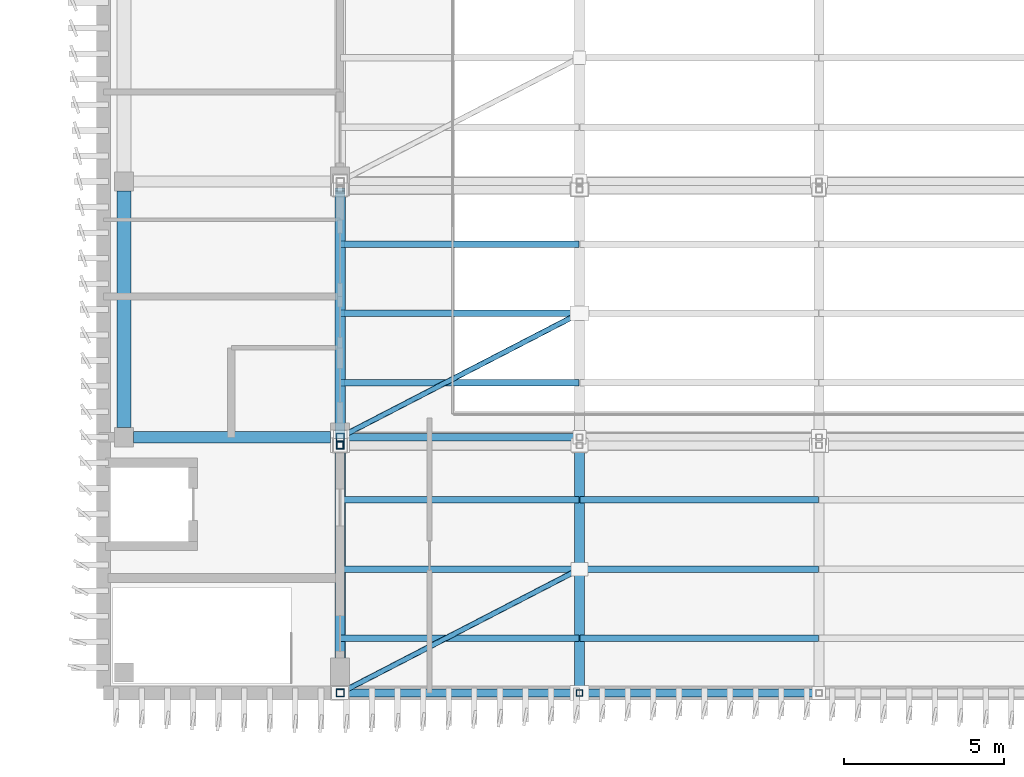
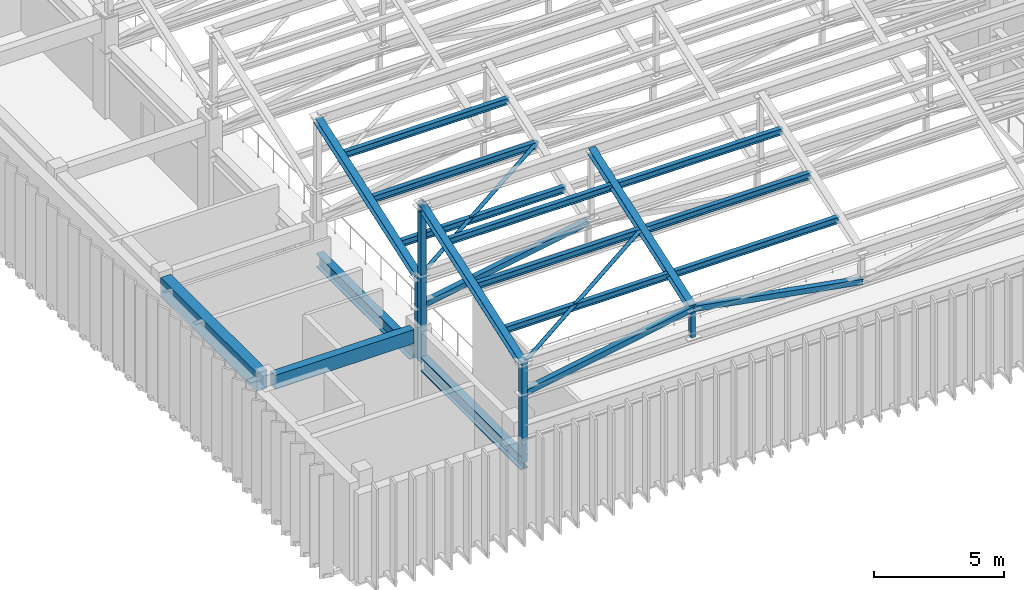
# One storey, part 3 of 76: 22 members, 4 beams.
"""IFC4 building model written with IfcOpenShell, lengths in metres."""

from ifc_helpers import new_model, si_unit, direction, frame, origin, origin_2d, place, context, subcontext, project, spatial, rectangle, hollow_rectangle, hollow_circle, i_section, extrude, material, material_profile, profile_set, type_object, element, save


model = new_model("IFC4")

# Units and contexts
model_context = context("Model", 3, precision=1e-05, world=origin(), true_north=direction((0.0, 1.0)))
body_context = subcontext(model_context, "Body", "Model", "MODEL_VIEW")
ifc_project = project(units=[si_unit("LENGTHUNIT", "METRE"), si_unit("AREAUNIT", "SQUARE_METRE"), si_unit("VOLUMEUNIT", "CUBIC_METRE"), si_unit("PLANEANGLEUNIT", "RADIAN"), si_unit("MASSUNIT", "GRAM", prefix="KILO")], contexts=[model_context])

# Site, building, storey
site_placement = place(None, origin())
site = spatial("IfcSite", under=ifc_project, at=site_placement, CompositionType="ELEMENT")
building_placement = place(site_placement, origin())
building = spatial("IfcBuilding", under=site, at=building_placement, Name="Cinchona Park Media Centre", CompositionType="ELEMENT")
storey_placement = place(building_placement, frame((0.0, 0.0, 15.60009765625)))
storey = spatial("IfcBuildingStorey", under=building, at=storey_placement, Name="L03", CompositionType="ELEMENT", Elevation=15.60009765625)

# Beams
ifc_material_1 = material(Name="Concrete C35/45", Category="concrete")
ifc_material_profile_1 = material_profile(ifc_material_1, rectangle(XDim=0.449951171875, YDim=0.85009765625, at=origin_2d()), Name="RB 450X850")
ifc_profile_set_1 = profile_set([ifc_material_profile_1], Name="Concrete C35/45")
beam_type_1 = type_object("IfcBeamType", Name="BEAM-B02-RB450X850", PredefinedType="BEAM", material=ifc_profile_set_1)
beam_1_placement = place(storey_placement, frame((8.639892578125, 15.89990234375, 4.1298828125), z_axis=(0.0, 1.0, 0.0), x_axis=(-1.0, 0.0, 0.0)))
element("IfcBeam", 1, at=beam_1_placement, inside=storey, type_object=beam_type_1, Name="Girder B02 L03", PredefinedType="BEAM", context=body_context, shape_type="SweptSolid", body=[
    extrude(rectangle(XDim=0.449951171875, YDim=0.85009765625, at=origin_2d()), origin(), (0.0, 0.0, 1.0), 7.400146484375),
])
ifc_material_2 = material(Name="Concrete C35/45", Category="concrete")
ifc_material_profile_2 = material_profile(ifc_material_2, rectangle(XDim=0.35009765625, YDim=0.64990234375, at=origin_2d()), Name="RB 350X650")
ifc_profile_set_2 = profile_set([ifc_material_profile_2], Name="Concrete C35/45")
beam_type_2 = type_object("IfcBeamType", Name="BEAM-B04-RB350X650", PredefinedType="BEAM", material=ifc_profile_set_2)
beam_2_placement = place(storey_placement, frame((8.93994140625, 15.60009765625, 4.22998046875), z_axis=(1.0, 0.0, 0.0), x_axis=(0.0, 1.0, 0.0)))
element("IfcBeam", 2, at=beam_2_placement, inside=storey, type_object=beam_type_2, Name="Beam B04 L03", PredefinedType="BEAM", context=body_context, shape_type="SweptSolid", body=[
    extrude(rectangle(XDim=0.35009765625, YDim=0.64990234375, at=origin_2d()), origin(), (0.0, 0.0, 1.0), 6.16015625),
])
ifc_material_3 = material(Name="Steel S355", Category="steel")
ifc_material_profile_3 = material_profile(ifc_material_3, i_section(OverallWidth=0.3291015625, OverallDepth=0.635009765625, WebThickness=0.017822265625, FlangeThickness=0.031005859375, at=origin_2d()), Name="W610X241")
ifc_profile_set_3 = profile_set([ifc_material_profile_3], Name="Steel S355")
beam_type_3 = type_object("IfcBeamType", Name="BEAM-B05-W610X241", PredefinedType="BEAM", material=ifc_profile_set_3)
beam_3_placement = place(storey_placement, frame((15.39990234375, 7.5, 3.0498046875), z_axis=(0.0, 1.0, 0.0), x_axis=(-1.0, 0.0, 0.0)))
element("IfcBeam", 3, at=beam_3_placement, inside=storey, type_object=beam_type_3, Name="Sawtooth Valley Edge Girder B05 V1", PredefinedType="BEAM", context=body_context, shape_type="SweptSolid", body=[
    extrude(i_section(OverallWidth=0.3291015625, OverallDepth=0.635009765625, WebThickness=0.017822265625, FlangeThickness=0.031005859375, at=origin_2d()), origin(), (0.0, 0.0, 1.0), 7.679931640625),
])
beam_4_placement = place(storey_placement, frame((15.39990234375, 16.02001953125, 3.0498046875), z_axis=(0.0, 1.0, 0.0), x_axis=(-1.0, 0.0, 0.0)))
element("IfcBeam", 4, at=beam_4_placement, inside=storey, type_object=beam_type_3, Name="Sawtooth Valley Edge Girder B05 V1", PredefinedType="BEAM", context=body_context, shape_type="SweptSolid", body=[
    extrude(i_section(OverallWidth=0.3291015625, OverallDepth=0.635009765625, WebThickness=0.017822265625, FlangeThickness=0.031005859375, at=origin_2d()), origin(), (0.0, 0.0, 1.0), 7.159912109375),
])

# Members
ifc_material_4 = material(Name="Steel S355", Category="steel")
ifc_material_profile_4 = material_profile(ifc_material_4, hollow_circle(Radius=0.084228515625, WallThickness=0.010009765625, at=origin_2d()), Name="168.3X10CHS")
ifc_profile_set_4 = profile_set([ifc_material_profile_4], Name="Steel S355")
member_type_1 = type_object("IfcMemberType", Name="MEMBER-BR03-CHS168.3X10", PredefinedType="BRACE", material=ifc_profile_set_4)
for number, where, z_axis, x_axis, name in (
    (5, (15.39990234375, 7.60009765625, 7.599853515625), (0.877007498883, 0.453726100012, 0.158083753343), (-0.459504038406, 0.888175680082, 0.0), "Sawtooth Roof Wind Brace V1 Bay 1"),
    (6, (15.39990234375, 15.60009765625, 6.7998046875), (0.877007498883, 0.453726100012, 0.158083753343), (-0.459504038406, 0.888175680082, 0.0), "Sawtooth Roof Wind Brace V1 Bay 2"),
):
    element("IfcMember", number, at=place(storey_placement, frame(where, z_axis=z_axis, x_axis=x_axis)), inside=storey, type_object=member_type_1, Name=name, PredefinedType="BRACE", context=body_context, shape_type="SweptSolid", body=[
        extrude(hollow_circle(Radius=0.084228515625, WallThickness=0.010009765625, at=origin_2d()), origin(), (0.0, 0.0, 1.0), 8.540283203125),
    ])
ifc_material_5 = material(Name="Steel S355", Category="steel")
ifc_material_profile_5 = material_profile(ifc_material_5, i_section(OverallWidth=0.202880859375, OverallDepth=0.302978515625, WebThickness=0.007568359375, FlangeThickness=0.01318359375, at=origin_2d()), Name="W310X60")
ifc_profile_set_5 = profile_set([ifc_material_profile_5], Name="Steel S355")
member_type_2 = type_object("IfcMemberType", Name="MEMBER-PR01-W310X60", PredefinedType="PURLIN", material=ifc_profile_set_5)
member_1_placement = place(storey_placement, frame((15.409912109375, 9.304931640625, 8.1123046875), z_axis=(1.0, 0.0, 0.0), x_axis=(0.0, 1.0, 0.0)))
element("IfcMember", 7, at=member_1_placement, inside=storey, type_object=member_type_2, Name="Sawtooth Roof Purlin PR01", PredefinedType="PURLIN", context=body_context, shape_type="SweptSolid", body=[
    extrude(i_section(OverallWidth=0.202880859375, OverallDepth=0.302978515625, WebThickness=0.007568359375, FlangeThickness=0.01318359375, at=origin_2d()), origin(), (0.0, 0.0, 1.0), 7.469970703125),
])
member_2_placement = place(storey_placement, frame((22.89990234375, 9.304931640625, 8.1123046875), z_axis=(1.0, 0.0, 0.0), x_axis=(0.0, 1.0, 0.0)))
element("IfcMember", 8, at=member_2_placement, inside=storey, type_object=member_type_2, Name="Sawtooth Roof Purlin PR01", PredefinedType="PURLIN", context=body_context, shape_type="SweptSolid", body=[
    extrude(i_section(OverallWidth=0.202880859375, OverallDepth=0.302978515625, WebThickness=0.007568359375, FlangeThickness=0.01318359375, at=origin_2d()), origin(), (0.0, 0.0, 1.0), 7.47021484375),
])
member_3_placement = place(storey_placement, frame((15.409912109375, 11.47509765625, 8.868408203125), z_axis=(1.0, 0.0, 0.0), x_axis=(0.0, 1.0, 0.0)))
element("IfcMember", 9, at=member_3_placement, inside=storey, type_object=member_type_2, Name="Sawtooth Roof Purlin PR01", PredefinedType="PURLIN", context=body_context, shape_type="SweptSolid", body=[
    extrude(i_section(OverallWidth=0.202880859375, OverallDepth=0.302978515625, WebThickness=0.007568359375, FlangeThickness=0.01318359375, at=origin_2d()), origin(), (0.0, 0.0, 1.0), 7.469970703125),
])
member_4_placement = place(storey_placement, frame((22.89990234375, 11.47509765625, 8.868408203125), z_axis=(1.0, 0.0, 0.0), x_axis=(0.0, 1.0, 0.0)))
element("IfcMember", 10, at=member_4_placement, inside=storey, type_object=member_type_2, Name="Sawtooth Roof Purlin PR01", PredefinedType="PURLIN", context=body_context, shape_type="SweptSolid", body=[
    extrude(i_section(OverallWidth=0.202880859375, OverallDepth=0.302978515625, WebThickness=0.007568359375, FlangeThickness=0.01318359375, at=origin_2d()), origin(), (0.0, 0.0, 1.0), 7.47021484375),
])
member_5_placement = place(storey_placement, frame((15.409912109375, 13.64501953125, 9.62451171875), z_axis=(1.0, 0.0, 0.0), x_axis=(0.0, 1.0, 0.0)))
element("IfcMember", 11, at=member_5_placement, inside=storey, type_object=member_type_2, Name="Sawtooth Roof Purlin PR01", PredefinedType="PURLIN", context=body_context, shape_type="SweptSolid", body=[
    extrude(i_section(OverallWidth=0.202880859375, OverallDepth=0.302978515625, WebThickness=0.007568359375, FlangeThickness=0.01318359375, at=origin_2d()), origin(), (0.0, 0.0, 1.0), 7.469970703125),
])
member_6_placement = place(storey_placement, frame((22.89990234375, 13.64501953125, 9.62451171875), z_axis=(1.0, 0.0, 0.0), x_axis=(0.0, 1.0, 0.0)))
element("IfcMember", 12, at=member_6_placement, inside=storey, type_object=member_type_2, Name="Sawtooth Roof Purlin PR01", PredefinedType="PURLIN", context=body_context, shape_type="SweptSolid", body=[
    extrude(i_section(OverallWidth=0.202880859375, OverallDepth=0.302978515625, WebThickness=0.007568359375, FlangeThickness=0.01318359375, at=origin_2d()), origin(), (0.0, 0.0, 1.0), 7.47021484375),
])
for number, where, z_axis, x_axis, name in (
    (13, (15.409912109375, 17.304931640625, 7.3125), (1.0, 0.0, 0.0), (0.0, 1.0, 0.0), "Sawtooth Roof Purlin PR01"),
    (14, (15.409912109375, 19.47509765625, 8.068359375), (1.0, 0.0, 0.0), (0.0, 1.0, 0.0), "Sawtooth Roof Purlin PR01"),
    (15, (15.409912109375, 21.64501953125, 8.824462890625), (1.0, 0.0, 0.0), (0.0, 1.0, 0.0), "Sawtooth Roof Purlin PR01"),
):
    element("IfcMember", number, at=place(storey_placement, frame(where, z_axis=z_axis, x_axis=x_axis)), inside=storey, type_object=member_type_2, Name=name, PredefinedType="PURLIN", context=body_context, shape_type="SweptSolid", body=[
        extrude(i_section(OverallWidth=0.202880859375, OverallDepth=0.302978515625, WebThickness=0.007568359375, FlangeThickness=0.01318359375, at=origin_2d()), origin(), (0.0, 0.0, 1.0), 7.469970703125),
    ])
ifc_material_6 = material(Name="Steel S355", Category="steel")
ifc_material_profile_6 = material_profile(ifc_material_6, hollow_rectangle(XDim=0.199951171875, YDim=0.199951171875, WallThickness=0.012451171875, at=origin_2d()), Name="200X200X12.5SHS")
ifc_profile_set_6 = profile_set([ifc_material_profile_6], Name="Steel S355")
member_type_3 = type_object("IfcMemberType", Name="MEMBER-TS01-SHS200X200X12.5", PredefinedType="STRUT", material=ifc_profile_set_6)
member_7_placement = place(storey_placement, frame((22.889892578125, 7.60009765625, 6.25), z_axis=(0.0, 0.0, 1.0), x_axis=(1.0, 0.0, 0.0)))
element("IfcMember", 16, at=member_7_placement, inside=storey, type_object=member_type_3, Name="ROOF TRUSS Vertical Strut TN1", PredefinedType="STRUT", context=body_context, shape_type="SweptSolid", body=[
    extrude(hollow_rectangle(XDim=0.199951171875, YDim=0.199951171875, WallThickness=0.012451171875, at=origin_2d()), origin(), (0.0, 0.0, 1.0), 1.349853515625),
])
member_8_placement = place(storey_placement, frame((15.39990234375, 15.35009765625, 7.099853515625), z_axis=(0.0, 0.0, 1.0), x_axis=(1.0, 0.0, 0.0)))
element("IfcMember", 17, at=member_8_placement, inside=storey, type_object=member_type_3, Name="ROOF TRUSS Monitor Post V1 Bay 1", PredefinedType="STRUT", context=body_context, shape_type="SweptSolid", body=[
    extrude(hollow_rectangle(XDim=0.199951171875, YDim=0.199951171875, WallThickness=0.012451171875, at=origin_2d()), origin(), (0.0, 0.0, 1.0), 3.199951171875),
])
ifc_material_7 = material(Name="Steel S355", Category="steel")
ifc_material_profile_7 = material_profile(ifc_material_7, hollow_rectangle(XDim=0.25, YDim=0.25, WallThickness=0.01611328125, at=origin_2d()), Name="250X250X16SHS")
ifc_profile_set_7 = profile_set([ifc_material_profile_7], Name="Steel S355")
member_type_4 = type_object("IfcMemberType", Name="MEMBER-TS02-SHS250X250X16", PredefinedType="STRUT", material=ifc_profile_set_7)
member_9_placement = place(storey_placement, frame((15.39990234375, 7.60009765625, 3.0498046875), z_axis=(0.0, 0.0, 1.0), x_axis=(1.0, 0.0, 0.0)))
element("IfcMember", 18, at=member_9_placement, inside=storey, type_object=member_type_4, Name="Sawtooth Bearing Post TS02 V1 B1", PredefinedType="STRUT", context=body_context, shape_type="SweptSolid", body=[
    extrude(hollow_rectangle(XDim=0.25, YDim=0.25, WallThickness=0.01611328125, at=origin_2d()), origin(), (0.0, 0.0, 1.0), 4.739990234375),
])
member_10_placement = place(storey_placement, frame((15.39990234375, 15.35009765625, 3.0498046875), z_axis=(0.0, 0.0, 1.0), x_axis=(1.0, 0.0, 0.0)))
element("IfcMember", 19, at=member_10_placement, inside=storey, type_object=member_type_4, Name="Sawtooth Bearing Post TS02 V1 B1", PredefinedType="STRUT", context=body_context, shape_type="SweptSolid", body=[
    extrude(hollow_rectangle(XDim=0.25, YDim=0.25, WallThickness=0.01611328125, at=origin_2d()), origin(), (0.0, 0.0, 1.0), 7.440185546875),
])
for number, where, z_axis, x_axis, name in (
    (20, (15.39990234375, 7.60009765625, 6.25), (0.984145381083, 0.0, 0.177363662832), (0.0, 1.0, 0.0), "ROOF TRUSS Web Diagonal TN1"),
    (21, (22.889892578125, 7.60009765625, 7.599853515625), (0.984145381083, 0.0, -0.177363662832), (0.0, 1.0, 0.0), "ROOF TRUSS Web Diagonal TN2"),
):
    element("IfcMember", number, at=place(storey_placement, frame(where, z_axis=z_axis, x_axis=x_axis)), inside=storey, type_object=member_type_4, Name=name, PredefinedType="STRUT", context=body_context, shape_type="SweptSolid", body=[
        extrude(hollow_rectangle(XDim=0.25, YDim=0.25, WallThickness=0.01611328125, at=origin_2d()), origin(), (0.0, 0.0, 1.0), 7.610595703125),
    ])
member_11_placement = place(storey_placement, frame((15.39990234375, 15.60009765625, 3.0498046875), z_axis=(0.0, 0.0, 1.0), x_axis=(1.0, 0.0, 0.0)))
element("IfcMember", 22, at=member_11_placement, inside=storey, type_object=member_type_4, Name="Sawtooth Bearing Post TS02 V1 B2", PredefinedType="STRUT", context=body_context, shape_type="SweptSolid", body=[
    extrude(hollow_rectangle(XDim=0.25, YDim=0.25, WallThickness=0.01611328125, at=origin_2d()), origin(), (0.0, 0.0, 1.0), 3.940185546875),
])
member_12_placement = place(storey_placement, frame((15.39990234375, 15.60009765625, 5.449951171875), z_axis=(0.984145381083, 0.0, 0.177363662832), x_axis=(0.0, 1.0, 0.0)))
element("IfcMember", 23, at=member_12_placement, inside=storey, type_object=member_type_4, Name="ROOF TRUSS Web Diagonal TN1", PredefinedType="STRUT", context=body_context, shape_type="SweptSolid", body=[
    extrude(hollow_rectangle(XDim=0.25, YDim=0.25, WallThickness=0.01611328125, at=origin_2d()), origin(), (0.0, 0.0, 1.0), 7.610595703125),
])
ifc_material_8 = material(Name="Steel S355", Category="steel")
ifc_material_profile_8 = material_profile(ifc_material_8, i_section(OverallWidth=0.304931640625, OverallDepth=0.30810546875, WebThickness=0.010009765625, FlangeThickness=0.015380859375, at=origin_2d()), Name="W310X97")
ifc_profile_set_8 = profile_set([ifc_material_profile_8], Name="Steel S355")
member_type_5 = type_object("IfcMemberType", Name="MEMBER-TS06-W310X97", PredefinedType="STRUT", material=ifc_profile_set_8)
for number, where, z_axis, x_axis, name in (
    (24, (15.39990234375, 7.60009765625, 7.599853515625), (0.0, 0.944334143314, 0.328987880888), (-1.0, 0.0, 0.0), "ROOF TRUSS Sawtooth Rafter V1 Bay 1"),
    (25, (22.889892578125, 7.60009765625, 7.599853515625), (0.0, 0.944334143314, 0.328987880888), (-1.0, 0.0, 0.0), "ROOF TRUSS Sawtooth Rafter V1 Bay 1"),
):
    element("IfcMember", number, at=place(storey_placement, frame(where, z_axis=z_axis, x_axis=x_axis)), inside=storey, type_object=member_type_5, Name=name, PredefinedType="STRUT", context=body_context, shape_type="SweptSolid", body=[
        extrude(i_section(OverallWidth=0.304931640625, OverallDepth=0.30810546875, WebThickness=0.010009765625, FlangeThickness=0.015380859375, at=origin_2d()), origin(), (0.0, 0.0, 1.0), 8.206787109375),
    ])
member_13_placement = place(storey_placement, frame((15.39990234375, 15.60009765625, 6.7998046875), z_axis=(0.0, 0.944324900954, 0.329014409165), x_axis=(-1.0, 0.0, 0.0)))
element("IfcMember", 26, at=member_13_placement, inside=storey, type_object=member_type_5, Name="ROOF TRUSS Sawtooth Rafter V1 Bay 2", PredefinedType="STRUT", context=body_context, shape_type="SweptSolid", body=[
    extrude(i_section(OverallWidth=0.304931640625, OverallDepth=0.30810546875, WebThickness=0.010009765625, FlangeThickness=0.015380859375, at=origin_2d()), origin(), (0.0, 0.0, 1.0), 8.20703125),
])

save(model, "model.ifc")
